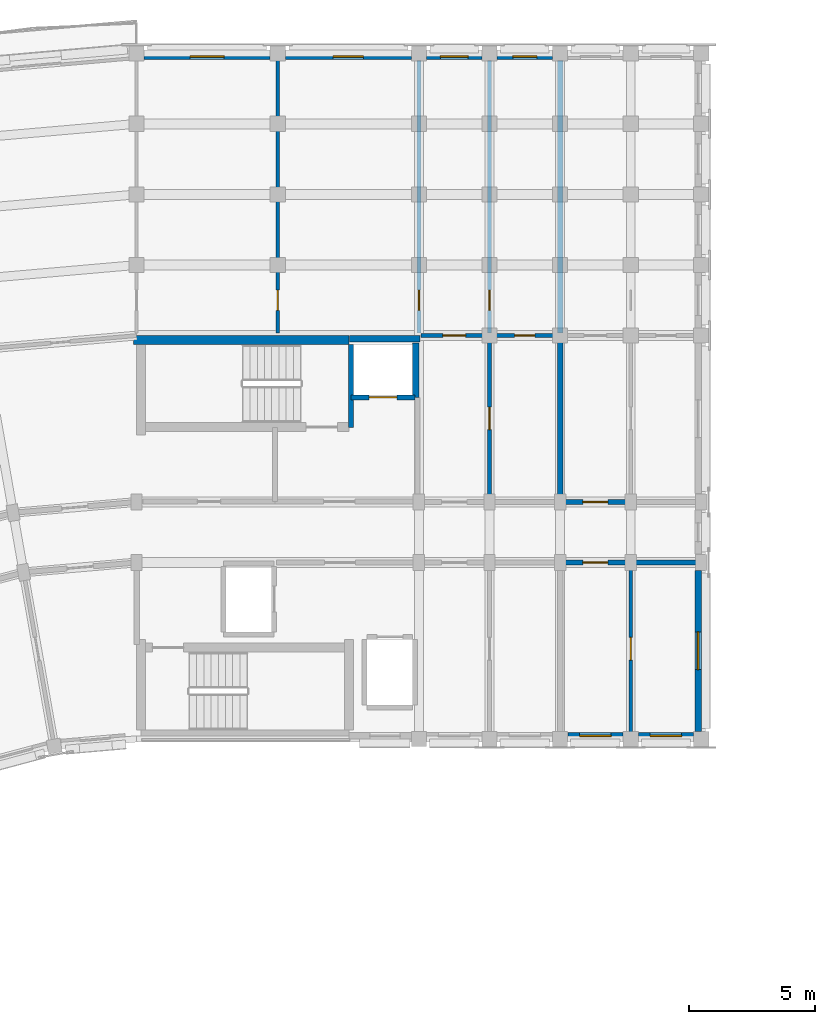
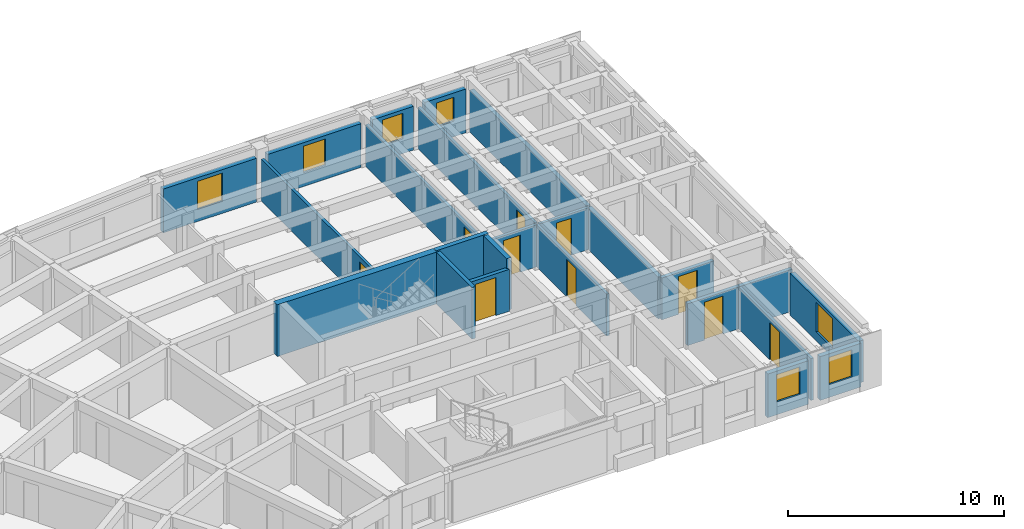
# One storey, part 16 of 36: 24 walls, 10 doors, 7 windows, 17 openings.
"""IFC4 building model written with IfcOpenShell, lengths in metres."""

from ifc_helpers import new_model, si_unit, direction, frame, frame_2d, origin, place, context, subcontext, project, spatial, rectangle, extrude, material, layer, layer_set, type_object, element, fill, save


model = new_model("IFC4")

# Units and contexts
model_context = context("Model", 3, precision=1e-05, world=origin(), true_north=direction((0.0, 1.0)))
body_context = subcontext(model_context, "Body", "Model", "MODEL_VIEW")
ifc_project = project(units=[si_unit("LENGTHUNIT", "METRE"), si_unit("AREAUNIT", "SQUARE_METRE"), si_unit("VOLUMEUNIT", "CUBIC_METRE"), si_unit("PLANEANGLEUNIT", "RADIAN"), si_unit("MASSUNIT", "GRAM", prefix="KILO")], contexts=[model_context])

# Site, building, storey
site_placement = place(None, origin())
site = spatial("IfcSite", under=ifc_project, at=site_placement, CompositionType="ELEMENT")
building_placement = place(site_placement, origin())
building = spatial("IfcBuilding", under=site, at=building_placement, Name="Kiranvali Square Residences", CompositionType="ELEMENT")
storey_placement = place(building_placement, frame((0.0, 0.0, 37.050048828125)))
storey = spatial("IfcBuildingStorey", under=building, at=storey_placement, Name="L11", CompositionType="ELEMENT", Elevation=37.050048828125)

# Wall, opening, door
ifc_material_1 = material(Name="Autoclaved aerated concrete blockwork masonry", Category="masonry")
ifc_layer_1 = layer(ifc_material_1, 0.199951171875)
ifc_layer_set_1 = layer_set([ifc_layer_1], Name="Autoclaved aerated concrete blockwork masonry")
wall_type_1 = type_object("IfcWallType", Name="WL-COR-200", PredefinedType="STANDARD", material=ifc_layer_set_1)
wall_1_placement = place(storey_placement, frame((65.0, 113.60009765625, 0.0), z_axis=(0.0, 0.0, 1.0), x_axis=(1.0, 0.0, 0.0)))
wall_1 = element("IfcWall", 1, at=wall_1_placement, inside=storey, type_object=wall_type_1, Name="L11 architectural wall WL-L11-A-A1CI-2", PredefinedType="STANDARD", context=body_context, shape_type="SweptSolid", body=[
    extrude(rectangle(XDim=2.800048828125, YDim=0.199951171875, at=frame_2d((1.39990234375, 0.0))), origin(), (0.0, 0.0, 1.0), 2.3720703125),
])
opening_1_placement = place(wall_1_placement, frame((0.89990234375, 0.0, 0.0)))
opening_1 = element("IfcOpeningElement", 2, at=opening_1_placement, cuts=wall_1, Name="Opening FD-APT-60", PredefinedType="OPENING", context=body_context, shape_type="SweptSolid", body=[
    extrude(rectangle(XDim=1.0, YDim=2.14990234375, at=frame_2d((0.5, 1.074951171875))), frame((0.0, 0.10986328125, 0.0), z_axis=(0.0, -1.0, 0.0), x_axis=(1.0, 0.0, 0.0)), (0.0, 0.0, 1.0), 0.219970703125),
])
ifc_material_2 = material(Name="Fire-rated acoustic hardwood and mineral-core door assembly", Category="wood")
door_type_1 = type_object("IfcDoorType", Name="DR-APT-1000", OperationType="NOTDEFINED", PredefinedType="DOOR", material=ifc_material_2)
door_1_placement = place(opening_1_placement, frame((1.0, 0.0, 0.0), z_axis=(0.0, 0.0, 1.0), x_axis=(-1.0, 0.0, 0.0)))
door_1 = element("IfcDoor", 3, at=door_1_placement, inside=storey, type_object=door_type_1, Name="L11 door DR-L11-0694 (DR-APT-1000)", OperationType="SINGLE_SWING_RIGHT", OverallHeight=2.14990234375, OverallWidth=1.0, PredefinedType="DOOR", context=body_context, shape_type="SweptSolid", body=[
    extrude(rectangle(XDim=1.0, YDim=2.14990234375, at=frame_2d((0.5, 1.074951171875))), frame((0.0, 0.02490234375, 0.0), z_axis=(0.0, -1.0, 0.0), x_axis=(1.0, 0.0, 0.0)), (0.0, 0.0, 1.0), 0.050048828125),
])
fill(opening_1, door_1)

wall_2_placement = place(storey_placement, frame((65.0, 116.0, 0.0), z_axis=(0.0, 0.0, 1.0), x_axis=(1.0, 0.0, 0.0)))
wall_2 = element("IfcWall", 4, at=wall_2_placement, inside=storey, type_object=wall_type_1, Name="L11 architectural wall WL-L11-A-A1CO-2", PredefinedType="STANDARD", context=body_context, shape_type="SweptSolid", body=[
    extrude(rectangle(XDim=2.800048828125, YDim=0.199951171875, at=frame_2d((1.39990234375, 0.0))), origin(), (0.0, 0.0, 1.0), 2.3720703125),
])
opening_2_placement = place(wall_2_placement, frame((0.89990234375, 0.0, 0.0)))
opening_2 = element("IfcOpeningElement", 5, at=opening_2_placement, cuts=wall_2, Name="Opening FD-APT-60", PredefinedType="OPENING", context=body_context, shape_type="SweptSolid", body=[
    extrude(rectangle(XDim=1.0, YDim=2.14990234375, at=frame_2d((0.5, 1.074951171875))), frame((0.0, 0.10986328125, 0.0), z_axis=(0.0, -1.0, 0.0), x_axis=(1.0, 0.0, 0.0)), (0.0, 0.0, 1.0), 0.219970703125),
])
door_2_placement = place(opening_2_placement, frame((1.0, 0.0, 0.0), z_axis=(0.0, 0.0, 1.0), x_axis=(-1.0, 0.0, 0.0)))
door_2 = element("IfcDoor", 6, at=door_2_placement, inside=storey, type_object=door_type_1, Name="L11 door DR-L11-0696 (DR-APT-1000)", OperationType="SINGLE_SWING_RIGHT", OverallHeight=2.14990234375, OverallWidth=1.0, PredefinedType="DOOR", context=body_context, shape_type="SweptSolid", body=[
    extrude(rectangle(XDim=1.0, YDim=2.14990234375, at=frame_2d((0.5, 1.074951171875))), frame((0.0, 0.02490234375, 0.0), z_axis=(0.0, -1.0, 0.0), x_axis=(1.0, 0.0, 0.0)), (0.0, 0.0, 1.0), 0.050048828125),
])
fill(opening_2, door_2)

# Walls
wall_3_placement = place(storey_placement, frame((67.800048828125, 113.60009765625, 0.0), z_axis=(0.0, 0.0, 1.0), x_axis=(1.0, 0.0, 0.0)))
element("IfcWall", 7, at=wall_3_placement, inside=storey, type_object=wall_type_1, Name="L11 architectural wall WL-L11-A-A1CI-3", PredefinedType="STANDARD", context=body_context, shape_type="SweptSolid", body=[
    extrude(rectangle(XDim=2.800048828125, YDim=0.199951171875, at=frame_2d((1.39990234375, 0.0))), origin(), (0.0, 0.0, 1.0), 2.3720703125),
])
ifc_layer_2 = layer(ifc_material_1, 0.219970703125)
ifc_layer_set_2 = layer_set([ifc_layer_2], Name="Autoclaved aerated concrete blockwork masonry")
wall_type_2 = type_object("IfcWallType", Name="WL-DEM-220", PredefinedType="STANDARD", material=ifc_layer_set_2)
wall_4_placement = place(storey_placement, frame((65.0, 116.050048828125, 0.0), z_axis=(0.0, 0.0, 1.0), x_axis=(0.0, 1.0, 0.0)))
element("IfcWall", 8, at=wall_4_placement, inside=storey, type_object=wall_type_2, Name="L11 architectural wall WL-L11-A-A1TO1-2", PredefinedType="STANDARD", context=body_context, shape_type="SweptSolid", body=[
    extrude(rectangle(XDim=6.530029296875, YDim=0.219970703125, at=frame_2d((3.26513671875, 0.0))), origin(), (0.0, 0.0, 1.0), 2.3720703125),
])
wall_5_placement = place(storey_placement, frame((65.0, 122.699951171875, 0.0), z_axis=(0.0, 0.0, 1.0), x_axis=(0.0, 1.0, 0.0)))
element("IfcWall", 9, at=wall_5_placement, inside=storey, type_object=wall_type_2, Name="L11 architectural wall WL-L11-A-A1TO2-2", PredefinedType="STANDARD", context=body_context, shape_type="SweptSolid", body=[
    extrude(rectangle(XDim=10.820068359375, YDim=0.219970703125, at=frame_2d((5.41015625, 0.0))), origin(), (0.0, 0.0, 1.0), 2.3720703125),
])

# Wall, opening, window
ifc_material_3 = material(Name="Breathable lime-rendered clay brick masonry", Category="masonry")
ifc_layer_3 = layer(ifc_material_3, 0.25)
ifc_layer_set_3 = layer_set([ifc_layer_3], Name="Breathable lime-rendered clay brick masonry")
wall_type_3 = type_object("IfcWallType", Name="WL-EXT-250", PredefinedType="STANDARD", material=ifc_layer_set_3)
wall_6_placement = place(storey_placement, frame((48.50341796875, 133.675048828125, 0.0), z_axis=(0.0, 0.0, 1.0), x_axis=(1.0, 0.0, 0.0)))
wall_6 = element("IfcWall", 10, at=wall_6_placement, inside=storey, type_object=wall_type_3, Name="L11 exterior wall A-L11-A1O-0", PredefinedType="STANDARD", context=body_context, shape_type="SweptSolid", body=[
    extrude(rectangle(XDim=4.9931640625, YDim=0.25, at=frame_2d((2.49658203125, 0.0))), origin(), (0.0, 0.0, 1.0), 2.47998046875),
])
opening_3_placement = place(wall_6_placement, frame((1.821533203125, 0.0, 0.679931640625)))
opening_3 = element("IfcOpeningElement", 11, at=opening_3_placement, cuts=wall_6, Name="Opening W-14", PredefinedType="OPENING", context=body_context, shape_type="SweptSolid", body=[
    extrude(rectangle(XDim=1.35009765625, YDim=1.60009765625, at=frame_2d((0.675048828125, 0.800048828125))), frame((0.0, 0.135009765625, 0.0), z_axis=(0.0, -1.0, 0.0), x_axis=(1.0, 0.0, 0.0)), (0.0, 0.0, 1.0), 0.27001953125),
])
ifc_material_4 = material(Name="Solar-control low-e double glazing", Category="glass")
window_type_1 = type_object("IfcWindowType", Name="WIN-RES-1350x1600", PartitioningType="DOUBLE_PANEL_VERTICAL", PredefinedType="WINDOW", material=ifc_material_4)
window_1_placement = place(opening_3_placement, origin())
window_1 = element("IfcWindow", 12, at=window_1_placement, inside=storey, type_object=window_type_1, Name="L11 recessed window A-L11-A1O-0", OverallHeight=1.60009765625, OverallWidth=1.35009765625, PartitioningType="DOUBLE_PANEL_VERTICAL", PredefinedType="WINDOW", context=body_context, shape_type="SweptSolid", body=[
    extrude(rectangle(XDim=1.35009765625, YDim=1.60009765625, at=frame_2d((0.675048828125, 0.800048828125))), frame((0.0, 0.030029296875, 0.0), z_axis=(0.0, -1.0, 0.0), x_axis=(1.0, 0.0, 0.0)), (0.0, 0.0, 1.0), 0.06005859375),
])
fill(opening_3, window_1)

wall_7_placement = place(storey_placement, frame((54.103515625, 133.675048828125, 0.0), z_axis=(0.0, 0.0, 1.0), x_axis=(1.0, 0.0, 0.0)))
wall_7 = element("IfcWall", 13, at=wall_7_placement, inside=storey, type_object=wall_type_3, Name="L11 exterior wall A-L11-A1O-1", PredefinedType="STANDARD", context=body_context, shape_type="SweptSolid", body=[
    extrude(rectangle(XDim=4.992919921875, YDim=0.25, at=frame_2d((2.49658203125, 0.0))), origin(), (0.0, 0.0, 1.0), 2.47998046875),
])
opening_4_placement = place(wall_7_placement, frame((1.896484375, 0.0, 0.780029296875)))
opening_4 = element("IfcOpeningElement", 14, at=opening_4_placement, cuts=wall_7, Name="Opening W-06", PredefinedType="OPENING", context=body_context, shape_type="SweptSolid", body=[
    extrude(rectangle(XDim=1.199951171875, YDim=1.5, at=frame_2d((0.60009765625, 0.75))), frame((0.0, 0.135009765625, 0.0), z_axis=(0.0, -1.0, 0.0), x_axis=(1.0, 0.0, 0.0)), (0.0, 0.0, 1.0), 0.27001953125),
])
window_type_2 = type_object("IfcWindowType", Name="WIN-RES-1200x1500", PartitioningType="SINGLE_PANEL", PredefinedType="WINDOW", material=ifc_material_4)
window_2_placement = place(opening_4_placement, origin())
window_2 = element("IfcWindow", 15, at=window_2_placement, inside=storey, type_object=window_type_2, Name="L11 recessed window A-L11-A1O-1", OverallHeight=1.5, OverallWidth=1.199951171875, PartitioningType="SINGLE_PANEL", PredefinedType="WINDOW", context=body_context, shape_type="SweptSolid", body=[
    extrude(rectangle(XDim=1.199951171875, YDim=1.5, at=frame_2d((0.60009765625, 0.75))), frame((0.0, 0.030029296875, 0.0), z_axis=(0.0, -1.0, 0.0), x_axis=(1.0, 0.0, 0.0)), (0.0, 0.0, 1.0), 0.06005859375),
])
fill(opening_4, window_2)

wall_8_placement = place(storey_placement, frame((59.70361328125, 133.675048828125, 0.0), z_axis=(0.0, 0.0, 1.0), x_axis=(1.0, 0.0, 0.0)))
wall_8 = element("IfcWall", 16, at=wall_8_placement, inside=storey, type_object=wall_type_3, Name="L11 exterior wall A-L11-A1O-2", PredefinedType="STANDARD", context=body_context, shape_type="SweptSolid", body=[
    extrude(rectangle(XDim=2.19287109375, YDim=0.25, at=frame_2d((1.096435546875, 0.0))), origin(), (0.0, 0.0, 1.0), 2.47998046875),
])
opening_5_placement = place(wall_8_placement, frame((0.54638671875, 0.0, 0.830078125)))
opening_5 = element("IfcOpeningElement", 17, at=opening_5_placement, cuts=wall_8, Name="Opening W-15", PredefinedType="OPENING", context=body_context, shape_type="SweptSolid", body=[
    extrude(rectangle(XDim=1.10009765625, YDim=1.449951171875, at=frame_2d((0.550048828125, 0.72509765625))), frame((0.0, 0.135009765625, 0.0), z_axis=(0.0, -1.0, 0.0), x_axis=(1.0, 0.0, 0.0)), (0.0, 0.0, 1.0), 0.27001953125),
])
window_type_3 = type_object("IfcWindowType", Name="WIN-RES-1100x1450", PartitioningType="SINGLE_PANEL", PredefinedType="WINDOW", material=ifc_material_4)
window_3_placement = place(opening_5_placement, origin())
window_3 = element("IfcWindow", 18, at=window_3_placement, inside=storey, type_object=window_type_3, Name="L11 recessed window A-L11-A1O-2", OverallHeight=1.449951171875, OverallWidth=1.10009765625, PartitioningType="SINGLE_PANEL", PredefinedType="WINDOW", context=body_context, shape_type="SweptSolid", body=[
    extrude(rectangle(XDim=1.10009765625, YDim=1.449951171875, at=frame_2d((0.550048828125, 0.72509765625))), frame((0.0, 0.030029296875, 0.0), z_axis=(0.0, -1.0, 0.0), x_axis=(1.0, 0.0, 0.0)), (0.0, 0.0, 1.0), 0.06005859375),
])
fill(opening_5, window_3)

wall_9_placement = place(storey_placement, frame((62.50341796875, 133.675048828125, 0.0), z_axis=(0.0, 0.0, 1.0), x_axis=(1.0, 0.0, 0.0)))
wall_9 = element("IfcWall", 19, at=wall_9_placement, inside=storey, type_object=wall_type_3, Name="L11 exterior wall A-L11-A1O-3", PredefinedType="STANDARD", context=body_context, shape_type="SweptSolid", body=[
    extrude(rectangle(XDim=2.193115234375, YDim=0.25, at=frame_2d((1.0966796875, 0.0))), origin(), (0.0, 0.0, 1.0), 2.47998046875),
])
opening_6_placement = place(wall_9_placement, frame((0.62158203125, 0.0, 0.8798828125)))
opening_6 = element("IfcOpeningElement", 20, at=opening_6_placement, cuts=wall_9, Name="Opening W-16", PredefinedType="OPENING", context=body_context, shape_type="SweptSolid", body=[
    extrude(rectangle(XDim=0.949951171875, YDim=1.35009765625, at=frame_2d((0.47509765625, 0.675048828125))), frame((0.0, 0.135009765625, 0.0), z_axis=(0.0, -1.0, 0.0), x_axis=(1.0, 0.0, 0.0)), (0.0, 0.0, 1.0), 0.27001953125),
])
window_type_4 = type_object("IfcWindowType", Name="WIN-RES-950x1350", PartitioningType="SINGLE_PANEL", PredefinedType="WINDOW", material=ifc_material_4)
window_4_placement = place(opening_6_placement, origin())
window_4 = element("IfcWindow", 21, at=window_4_placement, inside=storey, type_object=window_type_4, Name="L11 recessed window A-L11-A1O-3", OverallHeight=1.35009765625, OverallWidth=0.949951171875, PartitioningType="SINGLE_PANEL", PredefinedType="WINDOW", context=body_context, shape_type="SweptSolid", body=[
    extrude(rectangle(XDim=0.949951171875, YDim=1.35009765625, at=frame_2d((0.47509765625, 0.675048828125))), frame((0.0, 0.030029296875, 0.0), z_axis=(0.0, -1.0, 0.0), x_axis=(1.0, 0.0, 0.0)), (0.0, 0.0, 1.0), 0.06005859375),
])
fill(opening_6, window_4)

wall_10_placement = place(storey_placement, frame((65.303466796875, 106.72509765625, 0.0), z_axis=(0.0, 0.0, 1.0), x_axis=(1.0, 0.0, 0.0)))
wall_10 = element("IfcWall", 22, at=wall_10_placement, inside=storey, type_object=wall_type_3, Name="L11 exterior wall A-L11-A1I-2", PredefinedType="STANDARD", context=body_context, shape_type="SweptSolid", body=[
    extrude(rectangle(XDim=2.193115234375, YDim=0.25, at=frame_2d((1.0966796875, 0.0))), origin(), (0.0, 0.0, 1.0), 2.471923828125),
])
opening_7_placement = place(wall_10_placement, frame((0.471435546875, 0.0, 0.721923828125)))
opening_7 = element("IfcOpeningElement", 23, at=opening_7_placement, cuts=wall_10, Name="Opening W-19", PredefinedType="OPENING", context=body_context, shape_type="SweptSolid", body=[
    extrude(rectangle(XDim=1.25, YDim=1.550048828125, at=frame_2d((0.625, 0.77490234375))), frame((0.0, 0.135009765625, 0.0), z_axis=(0.0, -1.0, 0.0), x_axis=(1.0, 0.0, 0.0)), (0.0, 0.0, 1.0), 0.27001953125),
])
window_type_5 = type_object("IfcWindowType", Name="WIN-GDN-1250x1550", PartitioningType="SINGLE_PANEL", PredefinedType="WINDOW", material=ifc_material_4)
window_5_placement = place(opening_7_placement, origin())
window_5 = element("IfcWindow", 24, at=window_5_placement, inside=storey, type_object=window_type_5, Name="L11 recessed window A-L11-A1I-2", OverallHeight=1.550048828125, OverallWidth=1.25, PartitioningType="SINGLE_PANEL", PredefinedType="WINDOW", context=body_context, shape_type="SweptSolid", body=[
    extrude(rectangle(XDim=1.25, YDim=1.550048828125, at=frame_2d((0.625, 0.77490234375))), frame((0.0, 0.030029296875, 0.0), z_axis=(0.0, -1.0, 0.0), x_axis=(1.0, 0.0, 0.0)), (0.0, 0.0, 1.0), 0.06005859375),
])
fill(opening_7, window_5)

wall_11_placement = place(storey_placement, frame((68.103515625, 106.72509765625, 0.0), z_axis=(0.0, 0.0, 1.0), x_axis=(1.0, 0.0, 0.0)))
wall_11 = element("IfcWall", 25, at=wall_11_placement, inside=storey, type_object=wall_type_3, Name="L11 exterior wall A-L11-A1I-3", PredefinedType="STANDARD", context=body_context, shape_type="SweptSolid", body=[
    extrude(rectangle(XDim=2.19287109375, YDim=0.25, at=frame_2d((1.096435546875, 0.0))), origin(), (0.0, 0.0, 1.0), 2.471923828125),
])
opening_8_placement = place(wall_11_placement, frame((0.471435546875, 0.0, 0.721923828125)))
opening_8 = element("IfcOpeningElement", 26, at=opening_8_placement, cuts=wall_11, Name="Opening W-19", PredefinedType="OPENING", context=body_context, shape_type="SweptSolid", body=[
    extrude(rectangle(XDim=1.25, YDim=1.550048828125, at=frame_2d((0.625, 0.77490234375))), frame((0.0, 0.135009765625, 0.0), z_axis=(0.0, -1.0, 0.0), x_axis=(1.0, 0.0, 0.0)), (0.0, 0.0, 1.0), 0.27001953125),
])
window_6_placement = place(opening_8_placement, origin())
window_6 = element("IfcWindow", 27, at=window_6_placement, inside=storey, type_object=window_type_5, Name="L11 recessed window A-L11-A1I-3", OverallHeight=1.550048828125, OverallWidth=1.25, PartitioningType="SINGLE_PANEL", PredefinedType="WINDOW", context=body_context, shape_type="SweptSolid", body=[
    extrude(rectangle(XDim=1.25, YDim=1.550048828125, at=frame_2d((0.625, 0.77490234375))), frame((0.0, 0.030029296875, 0.0), z_axis=(0.0, -1.0, 0.0), x_axis=(1.0, 0.0, 0.0)), (0.0, 0.0, 1.0), 0.06005859375),
])
fill(opening_8, window_6)

wall_12_placement = place(storey_placement, frame((70.47509765625, 106.903564453125, 0.0), z_axis=(0.0, 0.0, 1.0), x_axis=(0.0, 1.0, 0.0)))
wall_12 = element("IfcWall", 28, at=wall_12_placement, inside=storey, type_object=wall_type_3, Name="L11 exterior wall A-L11-A1END-0", PredefinedType="STANDARD", context=body_context, shape_type="SweptSolid", body=[
    extrude(rectangle(XDim=6.367919921875, YDim=0.25, at=frame_2d((3.18408203125, 0.0))), origin(), (0.0, 0.0, 1.0), 2.3720703125),
])
opening_9_placement = place(wall_12_placement, frame((2.446533203125, 0.0, 0.52197265625)))
opening_9 = element("IfcOpeningElement", 29, at=opening_9_placement, cuts=wall_12, Name="Opening W-05", PredefinedType="OPENING", context=body_context, shape_type="SweptSolid", body=[
    extrude(rectangle(XDim=1.5, YDim=1.64990234375, at=frame_2d((0.75, 0.824951171875))), frame((0.0, 0.135009765625, 0.0), z_axis=(0.0, -1.0, 0.0), x_axis=(1.0, 0.0, 0.0)), (0.0, 0.0, 1.0), 0.27001953125),
])
window_type_6 = type_object("IfcWindowType", Name="WIN-RES-1500x1650", PartitioningType="DOUBLE_PANEL_VERTICAL", PredefinedType="WINDOW", material=ifc_material_4)
window_7_placement = place(opening_9_placement, origin())
window_7 = element("IfcWindow", 30, at=window_7_placement, inside=storey, type_object=window_type_6, Name="L11 recessed window A-L11-A1END-0", OverallHeight=1.64990234375, OverallWidth=1.5, PartitioningType="DOUBLE_PANEL_VERTICAL", PredefinedType="WINDOW", context=body_context, shape_type="SweptSolid", body=[
    extrude(rectangle(XDim=1.5, YDim=1.64990234375, at=frame_2d((0.75, 0.824951171875))), frame((0.0, 0.030029296875, 0.0), z_axis=(0.0, -1.0, 0.0), x_axis=(1.0, 0.0, 0.0)), (0.0, 0.0, 1.0), 0.06005859375),
])
fill(opening_9, window_7)

# Wall, opening, door
ifc_layer_4 = layer(ifc_material_1, 0.199951171875)
ifc_layer_set_4 = layer_set([ifc_layer_4], Name="Autoclaved aerated concrete blockwork masonry")
wall_type_4 = type_object("IfcWallType", Name="WL-FFL-200", PredefinedType="STANDARD", material=ifc_layer_set_4)
wall_13_placement = place(storey_placement, frame((56.699951171875, 120.14990234375, 0.0), z_axis=(0.0, 0.0, 1.0), x_axis=(1.0, 0.0, 0.0)))
wall_13 = element("IfcWall", 31, at=wall_13_placement, inside=storey, type_object=wall_type_4, Name="L11 architectural wall WL-L11-A-FF-LFT", PredefinedType="STANDARD", context=body_context, shape_type="SweptSolid", body=[
    extrude(rectangle(XDim=2.550048828125, YDim=0.199951171875, at=frame_2d((1.27490234375, 0.0))), origin(), (0.0, 0.0, 1.0), 2.3720703125),
])
opening_10_placement = place(wall_13_placement, frame((0.72509765625, 0.0, 0.0)))
opening_10 = element("IfcOpeningElement", 32, at=opening_10_placement, cuts=wall_13, Name="Opening LD-FF-110", PredefinedType="OPENING", context=body_context, shape_type="SweptSolid", body=[
    extrude(rectangle(XDim=1.10009765625, YDim=2.14990234375, at=frame_2d((0.550048828125, 1.074951171875))), frame((0.0, 0.10986328125, 0.0), z_axis=(0.0, -1.0, 0.0), x_axis=(1.0, 0.0, 0.0)), (0.0, 0.0, 1.0), 0.219970703125),
])
door_type_2 = type_object("IfcDoorType", Name="DR-LIFT-FF-1100", OperationType="SLIDING_TO_LEFT", PredefinedType="DOOR", material=ifc_material_2)
door_3_placement = place(opening_10_placement, origin())
door_3 = element("IfcDoor", 33, at=door_3_placement, inside=storey, type_object=door_type_2, Name="L11 door DR-L11-0680 (DR-LIFT-FF-1100)", OperationType="SLIDING_TO_LEFT", OverallHeight=2.14990234375, OverallWidth=1.10009765625, PredefinedType="DOOR", context=body_context, shape_type="SweptSolid", body=[
    extrude(rectangle(XDim=1.10009765625, YDim=2.14990234375, at=frame_2d((0.550048828125, 1.074951171875))), frame((0.0, 0.02490234375, 0.0), z_axis=(0.0, -1.0, 0.0), x_axis=(1.0, 0.0, 0.0)), (0.0, 0.0, 1.0), 0.050048828125),
])
fill(opening_10, door_3)

ifc_material_5 = material(Name="Acoustic gypsum board drylined partition", Category="gypsum")
ifc_layer_5 = layer(ifc_material_5, 0.14990234375)
ifc_layer_set_5 = layer_set([ifc_layer_5], Name="Acoustic gypsum board drylined partition")
wall_type_5 = type_object("IfcWallType", Name="WL-PRT-150", PredefinedType="PARTITIONING", material=ifc_layer_set_5)
wall_14_placement = place(storey_placement, frame((53.800048828125, 122.699951171875, 0.0), z_axis=(0.0, 0.0, 1.0), x_axis=(0.0, 1.0, 0.0)))
wall_14 = element("IfcWall", 34, at=wall_14_placement, inside=storey, type_object=wall_type_5, Name="L11 architectural wall WL-L11-A-CF-MID", PredefinedType="PARTITIONING", context=body_context, shape_type="SweptSolid", body=[
    extrude(rectangle(XDim=10.820068359375, YDim=0.14990234375, at=frame_2d((5.41015625, 0.0))), origin(), (0.0, 0.0, 1.0), 2.3720703125),
])
opening_11_placement = place(wall_14_placement, frame((0.8994140625, 0.0, 0.0)))
opening_11 = element("IfcOpeningElement", 35, at=opening_11_placement, cuts=wall_14, Name="Opening ID-WET", PredefinedType="OPENING", context=body_context, shape_type="SweptSolid", body=[
    extrude(rectangle(XDim=0.800048828125, YDim=2.10009765625, at=frame_2d((0.39990234375, 1.050048828125))), frame((0.0, 0.0849609375, 0.0), z_axis=(0.0, -1.0, 0.0), x_axis=(1.0, 0.0, 0.0)), (0.0, 0.0, 1.0), 0.169921875),
])
ifc_material_6 = material(Name="Solid seasoned teak hardwood joinery", Category="wood")
door_type_3 = type_object("IfcDoorType", Name="DR-WET-800", OperationType="NOTDEFINED", PredefinedType="DOOR", material=ifc_material_6)
door_4_placement = place(opening_11_placement, origin())
door_4 = element("IfcDoor", 36, at=door_4_placement, inside=storey, type_object=door_type_3, Name="L11 door DR-L11-0689 (DR-WET-800)", OperationType="SINGLE_SWING_LEFT", OverallHeight=2.10009765625, OverallWidth=0.800048828125, PredefinedType="DOOR", context=body_context, shape_type="SweptSolid", body=[
    extrude(rectangle(XDim=0.800048828125, YDim=2.10009765625, at=frame_2d((0.39990234375, 1.050048828125))), frame((0.0, 0.02490234375, 0.0), z_axis=(0.0, -1.0, 0.0), x_axis=(1.0, 0.0, 0.0)), (0.0, 0.0, 1.0), 0.050048828125),
])
fill(opening_11, door_4)

wall_15_placement = place(storey_placement, frame((59.39990234375, 122.699951171875, 0.0), z_axis=(0.0, 0.0, 1.0), x_axis=(0.0, 1.0, 0.0)))
wall_15 = element("IfcWall", 37, at=wall_15_placement, inside=storey, type_object=wall_type_5, Name="L11 architectural wall WL-L11-A-A1TO2-0", PredefinedType="PARTITIONING", context=body_context, shape_type="SweptSolid", body=[
    extrude(rectangle(XDim=10.820068359375, YDim=0.14990234375, at=frame_2d((5.41015625, 0.0))), origin(), (0.0, 0.0, 1.0), 2.3720703125),
])
opening_12_placement = place(wall_15_placement, frame((0.8994140625, 0.0, 0.0)))
opening_12 = element("IfcOpeningElement", 38, at=opening_12_placement, cuts=wall_15, Name="Opening ID-WET", PredefinedType="OPENING", context=body_context, shape_type="SweptSolid", body=[
    extrude(rectangle(XDim=0.800048828125, YDim=2.10009765625, at=frame_2d((0.39990234375, 1.050048828125))), frame((0.0, 0.0849609375, 0.0), z_axis=(0.0, -1.0, 0.0), x_axis=(1.0, 0.0, 0.0)), (0.0, 0.0, 1.0), 0.169921875),
])
door_5_placement = place(opening_12_placement, frame((0.800048828125, 0.0, 0.0), z_axis=(0.0, 0.0, 1.0), x_axis=(-1.0, 0.0, 0.0)))
door_5 = element("IfcDoor", 39, at=door_5_placement, inside=storey, type_object=door_type_3, Name="L11 door DR-L11-0698 (DR-WET-800)", OperationType="SINGLE_SWING_RIGHT", OverallHeight=2.10009765625, OverallWidth=0.800048828125, PredefinedType="DOOR", context=body_context, shape_type="SweptSolid", body=[
    extrude(rectangle(XDim=0.800048828125, YDim=2.10009765625, at=frame_2d((0.39990234375, 1.050048828125))), frame((0.0, 0.02490234375, 0.0), z_axis=(0.0, -1.0, 0.0), x_axis=(1.0, 0.0, 0.0)), (0.0, 0.0, 1.0), 0.050048828125),
])
fill(opening_12, door_5)

wall_16_placement = place(storey_placement, frame((62.199951171875, 116.050048828125, 0.0), z_axis=(0.0, 0.0, 1.0), x_axis=(0.0, 1.0, 0.0)))
wall_16 = element("IfcWall", 40, at=wall_16_placement, inside=storey, type_object=wall_type_5, Name="L11 architectural wall WL-L11-A-A1TO1-1", PredefinedType="PARTITIONING", context=body_context, shape_type="SweptSolid", body=[
    extrude(rectangle(XDim=6.530029296875, YDim=0.14990234375, at=frame_2d((3.26513671875, 0.0))), origin(), (0.0, 0.0, 1.0), 2.3720703125),
])
opening_13_placement = place(wall_16_placement, frame((2.81494140625, 0.0, 0.0)))
opening_13 = element("IfcOpeningElement", 41, at=opening_13_placement, cuts=wall_16, Name="Opening ID-1", PredefinedType="OPENING", context=body_context, shape_type="SweptSolid", body=[
    extrude(rectangle(XDim=0.89990234375, YDim=2.10009765625, at=frame_2d((0.449951171875, 1.050048828125))), frame((0.0, 0.0849609375, 0.0), z_axis=(0.0, -1.0, 0.0), x_axis=(1.0, 0.0, 0.0)), (0.0, 0.0, 1.0), 0.169921875),
])
door_type_4 = type_object("IfcDoorType", Name="DR-INT-900", OperationType="NOTDEFINED", PredefinedType="DOOR", material=ifc_material_6)
door_6_placement = place(opening_13_placement, frame((0.89990234375, 0.0, 0.0), z_axis=(0.0, 0.0, 1.0), x_axis=(-1.0, 0.0, 0.0)))
door_6 = element("IfcDoor", 42, at=door_6_placement, inside=storey, type_object=door_type_4, Name="L11 door DR-L11-0700 (DR-INT-900)", OperationType="SINGLE_SWING_RIGHT", OverallHeight=2.10009765625, OverallWidth=0.89990234375, PredefinedType="DOOR", context=body_context, shape_type="SweptSolid", body=[
    extrude(rectangle(XDim=0.89990234375, YDim=2.10009765625, at=frame_2d((0.449951171875, 1.050048828125))), frame((0.0, 0.02490234375, 0.0), z_axis=(0.0, -1.0, 0.0), x_axis=(1.0, 0.0, 0.0)), (0.0, 0.0, 1.0), 0.050048828125),
])
fill(opening_13, door_6)

wall_17_placement = place(storey_placement, frame((62.199951171875, 122.699951171875, 0.0), z_axis=(0.0, 0.0, 1.0), x_axis=(0.0, 1.0, 0.0)))
wall_17 = element("IfcWall", 43, at=wall_17_placement, inside=storey, type_object=wall_type_5, Name="L11 architectural wall WL-L11-A-A1TO2-1", PredefinedType="PARTITIONING", context=body_context, shape_type="SweptSolid", body=[
    extrude(rectangle(XDim=10.820068359375, YDim=0.14990234375, at=frame_2d((5.41015625, 0.0))), origin(), (0.0, 0.0, 1.0), 2.3720703125),
])
opening_14_placement = place(wall_17_placement, frame((0.8994140625, 0.0, 0.0)))
opening_14 = element("IfcOpeningElement", 44, at=opening_14_placement, cuts=wall_17, Name="Opening ID-WET", PredefinedType="OPENING", context=body_context, shape_type="SweptSolid", body=[
    extrude(rectangle(XDim=0.800048828125, YDim=2.10009765625, at=frame_2d((0.39990234375, 1.050048828125))), frame((0.0, 0.0849609375, 0.0), z_axis=(0.0, -1.0, 0.0), x_axis=(1.0, 0.0, 0.0)), (0.0, 0.0, 1.0), 0.169921875),
])
door_7_placement = place(opening_14_placement, origin())
door_7 = element("IfcDoor", 45, at=door_7_placement, inside=storey, type_object=door_type_3, Name="L11 door DR-L11-0701 (DR-WET-800)", OperationType="SINGLE_SWING_LEFT", OverallHeight=2.10009765625, OverallWidth=0.800048828125, PredefinedType="DOOR", context=body_context, shape_type="SweptSolid", body=[
    extrude(rectangle(XDim=0.800048828125, YDim=2.10009765625, at=frame_2d((0.39990234375, 1.050048828125))), frame((0.0, 0.02490234375, 0.0), z_axis=(0.0, -1.0, 0.0), x_axis=(1.0, 0.0, 0.0)), (0.0, 0.0, 1.0), 0.050048828125),
])
fill(opening_14, door_7)

wall_18_placement = place(storey_placement, frame((67.800048828125, 106.800048828125, 0.0), z_axis=(0.0, 0.0, 1.0), x_axis=(0.0, 1.0, 0.0)))
wall_18 = element("IfcWall", 46, at=wall_18_placement, inside=storey, type_object=wall_type_5, Name="L11 architectural wall WL-L11-A-A1TI-3", PredefinedType="PARTITIONING", context=body_context, shape_type="SweptSolid", body=[
    extrude(rectangle(XDim=6.75, YDim=0.14990234375, at=frame_2d((3.375, 0.0))), origin(), (0.0, 0.0, 1.0), 2.3720703125),
])
opening_15_placement = place(wall_18_placement, frame((2.925048828125, 0.0, 0.0)))
opening_15 = element("IfcOpeningElement", 47, at=opening_15_placement, cuts=wall_18, Name="Opening ID-1", PredefinedType="OPENING", context=body_context, shape_type="SweptSolid", body=[
    extrude(rectangle(XDim=0.89990234375, YDim=2.10009765625, at=frame_2d((0.449951171875, 1.050048828125))), frame((0.0, 0.0849609375, 0.0), z_axis=(0.0, -1.0, 0.0), x_axis=(1.0, 0.0, 0.0)), (0.0, 0.0, 1.0), 0.169921875),
])
door_8_placement = place(opening_15_placement, frame((0.89990234375, 0.0, 0.0), z_axis=(0.0, 0.0, 1.0), x_axis=(-1.0, 0.0, 0.0)))
door_8 = element("IfcDoor", 48, at=door_8_placement, inside=storey, type_object=door_type_4, Name="L11 door DR-L11-0702 (DR-INT-900)", OperationType="SINGLE_SWING_RIGHT", OverallHeight=2.10009765625, OverallWidth=0.89990234375, PredefinedType="DOOR", context=body_context, shape_type="SweptSolid", body=[
    extrude(rectangle(XDim=0.89990234375, YDim=2.10009765625, at=frame_2d((0.449951171875, 1.050048828125))), frame((0.0, 0.02490234375, 0.0), z_axis=(0.0, -1.0, 0.0), x_axis=(1.0, 0.0, 0.0)), (0.0, 0.0, 1.0), 0.050048828125),
])
fill(opening_15, door_8)

# Walls
ifc_layer_6 = layer(ifc_material_1, 0.199951171875)
ifc_layer_set_6 = layer_set([ifc_layer_6], Name="Autoclaved aerated concrete blockwork masonry")
wall_type_6 = type_object("IfcWallType", Name="WL-SHF-200", PredefinedType="STANDARD", material=ifc_layer_set_6)
wall_19_placement = place(storey_placement, frame((56.699951171875, 118.949951171875, 0.0), z_axis=(0.0, 0.0, 1.0), x_axis=(0.0, 1.0, 0.0)))
element("IfcWall", 49, at=wall_19_placement, inside=storey, type_object=wall_type_6, Name="L11 architectural wall WL-L11-A-FF-SHF", PredefinedType="STANDARD", context=body_context, shape_type="SweptSolid", body=[
    extrude(rectangle(XDim=3.300048828125, YDim=0.199951171875, at=frame_2d((1.64990234375, 0.0))), origin(), (0.0, 0.0, 1.0), 2.929931640625),
])
ifc_material_7 = material(Name="Concrete M45 (45 MPa)", Category="concrete")
ifc_layer_7 = layer(ifc_material_7, 0.25)
ifc_layer_set_7 = layer_set([ifc_layer_7], Name="Concrete M45 (45 MPa)")
wall_type_7 = type_object("IfcWallType", Name="WL-SHR-250", PredefinedType="SHEAR", material=ifc_layer_set_7)
wall_20_placement = place(storey_placement, frame((56.64990234375, 122.47509765625, 0.0), z_axis=(0.0, 0.0, 1.0), x_axis=(1.0, 0.0, 0.0)))
element("IfcWall", 50, at=wall_20_placement, inside=storey, type_object=wall_type_7, Name="Block A core shear wall SW-AFF-BK-L11", PredefinedType="SHEAR", context=body_context, shape_type="SweptSolid", body=[
    extrude(rectangle(XDim=2.800048828125, YDim=0.25, at=frame_2d((1.39990234375, 0.0))), origin(), (0.0, 0.0, 1.0), 2.929931640625),
])
wall_21_placement = place(storey_placement, frame((59.27490234375, 120.14990234375, 0.0), z_axis=(0.0, 0.0, 1.0), x_axis=(0.0, 1.0, 0.0)))
element("IfcWall", 51, at=wall_21_placement, inside=storey, type_object=wall_type_7, Name="Block A core shear wall SW-AFF-SD-L11", PredefinedType="SHEAR", context=body_context, shape_type="SweptSolid", body=[
    extrude(rectangle(XDim=2.150146484375, YDim=0.25, at=frame_2d((1.0751953125, 0.0))), origin(), (0.0, 0.0, 1.0), 2.929931640625),
])
ifc_layer_8 = layer(ifc_material_7, 0.320068359375)
ifc_layer_set_8 = layer_set([ifc_layer_8], Name="Concrete M45 (45 MPa)")
wall_type_8 = type_object("IfcWallType", Name="WL-SHR-320", PredefinedType="SHEAR", material=ifc_layer_set_8)
wall_22_placement = place(storey_placement, frame((48.080078125, 122.425048828125, 0.0), z_axis=(0.0, 0.0, 1.0), x_axis=(1.0, 0.0, 0.0)))
element("IfcWall", 52, at=wall_22_placement, inside=storey, type_object=wall_type_8, Name="Block A core shear wall SW-A1-OUT-L11", PredefinedType="SHEAR", context=body_context, shape_type="SweptSolid", body=[
    extrude(rectangle(XDim=8.544921875, YDim=0.35009765625, at=frame_2d((4.2724609375, 0.0))), origin(), (0.0, 0.0, 1.0), 2.929931640625),
])

# Wall, opening, door
ifc_layer_9 = layer(ifc_material_1, 0.14990234375)
ifc_layer_set_9 = layer_set([ifc_layer_9], Name="Autoclaved aerated concrete blockwork masonry")
wall_type_9 = type_object("IfcWallType", Name="WL-WET-150", PredefinedType="PLUMBINGWALL", material=ifc_layer_set_9)
wall_23_placement = place(storey_placement, frame((59.47998046875, 122.60009765625, 0.0), z_axis=(0.0, 0.0, 1.0), x_axis=(1.0, 0.0, 0.0)))
wall_23 = element("IfcWall", 53, at=wall_23_placement, inside=storey, type_object=wall_type_9, Name="L11 architectural wall WL-L11-A-A1SP-0", PredefinedType="PLUMBINGWALL", context=body_context, shape_type="SweptSolid", body=[
    extrude(rectangle(XDim=2.64013671875, YDim=0.14990234375, at=frame_2d((1.320068359375, 0.0))), origin(), (0.0, 0.0, 1.0), 2.3720703125),
])
opening_16_placement = place(wall_23_placement, frame((0.8701171875, 0.0, 0.0)))
opening_16 = element("IfcOpeningElement", 54, at=opening_16_placement, cuts=wall_23, Name="Opening ID-1", PredefinedType="OPENING", context=body_context, shape_type="SweptSolid", body=[
    extrude(rectangle(XDim=0.89990234375, YDim=2.10009765625, at=frame_2d((0.449951171875, 1.050048828125))), frame((0.0, 0.0849609375, 0.0), z_axis=(0.0, -1.0, 0.0), x_axis=(1.0, 0.0, 0.0)), (0.0, 0.0, 1.0), 0.169921875),
])
door_9_placement = place(opening_16_placement, origin())
door_9 = element("IfcDoor", 55, at=door_9_placement, inside=storey, type_object=door_type_4, Name="L11 door DR-L11-0691 (DR-INT-900)", OperationType="SINGLE_SWING_LEFT", OverallHeight=2.10009765625, OverallWidth=0.89990234375, PredefinedType="DOOR", context=body_context, shape_type="SweptSolid", body=[
    extrude(rectangle(XDim=0.89990234375, YDim=2.10009765625, at=frame_2d((0.449951171875, 1.050048828125))), frame((0.0, 0.02490234375, 0.0), z_axis=(0.0, -1.0, 0.0), x_axis=(1.0, 0.0, 0.0)), (0.0, 0.0, 1.0), 0.050048828125),
])
fill(opening_16, door_9)

wall_24_placement = place(storey_placement, frame((62.280029296875, 122.60009765625, 0.0), z_axis=(0.0, 0.0, 1.0), x_axis=(1.0, 0.0, 0.0)))
wall_24 = element("IfcWall", 56, at=wall_24_placement, inside=storey, type_object=wall_type_9, Name="L11 architectural wall WL-L11-A-A1SP-1", PredefinedType="PLUMBINGWALL", context=body_context, shape_type="SweptSolid", body=[
    extrude(rectangle(XDim=2.639892578125, YDim=0.14990234375, at=frame_2d((1.31982421875, 0.0))), origin(), (0.0, 0.0, 1.0), 2.3720703125),
])
opening_17_placement = place(wall_24_placement, frame((0.919921875, 0.0, 0.0)))
opening_17 = element("IfcOpeningElement", 57, at=opening_17_placement, cuts=wall_24, Name="Opening ID-WET", PredefinedType="OPENING", context=body_context, shape_type="SweptSolid", body=[
    extrude(rectangle(XDim=0.800048828125, YDim=2.10009765625, at=frame_2d((0.39990234375, 1.050048828125))), frame((0.0, 0.0849609375, 0.0), z_axis=(0.0, -1.0, 0.0), x_axis=(1.0, 0.0, 0.0)), (0.0, 0.0, 1.0), 0.169921875),
])
door_10_placement = place(opening_17_placement, origin())
door_10 = element("IfcDoor", 58, at=door_10_placement, inside=storey, type_object=door_type_3, Name="L11 door DR-L11-0693 (DR-WET-800)", OperationType="SINGLE_SWING_LEFT", OverallHeight=2.10009765625, OverallWidth=0.800048828125, PredefinedType="DOOR", context=body_context, shape_type="SweptSolid", body=[
    extrude(rectangle(XDim=0.800048828125, YDim=2.10009765625, at=frame_2d((0.39990234375, 1.050048828125))), frame((0.0, 0.02490234375, 0.0), z_axis=(0.0, -1.0, 0.0), x_axis=(1.0, 0.0, 0.0)), (0.0, 0.0, 1.0), 0.050048828125),
])
fill(opening_17, door_10)

save(model, "model.ifc")
